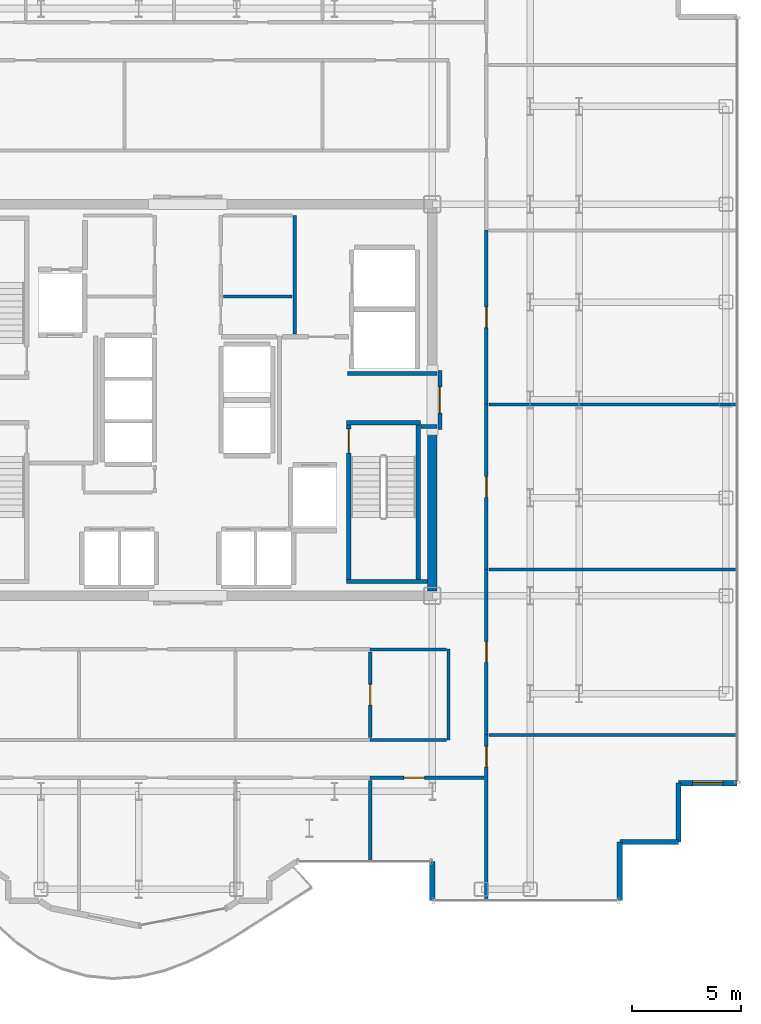
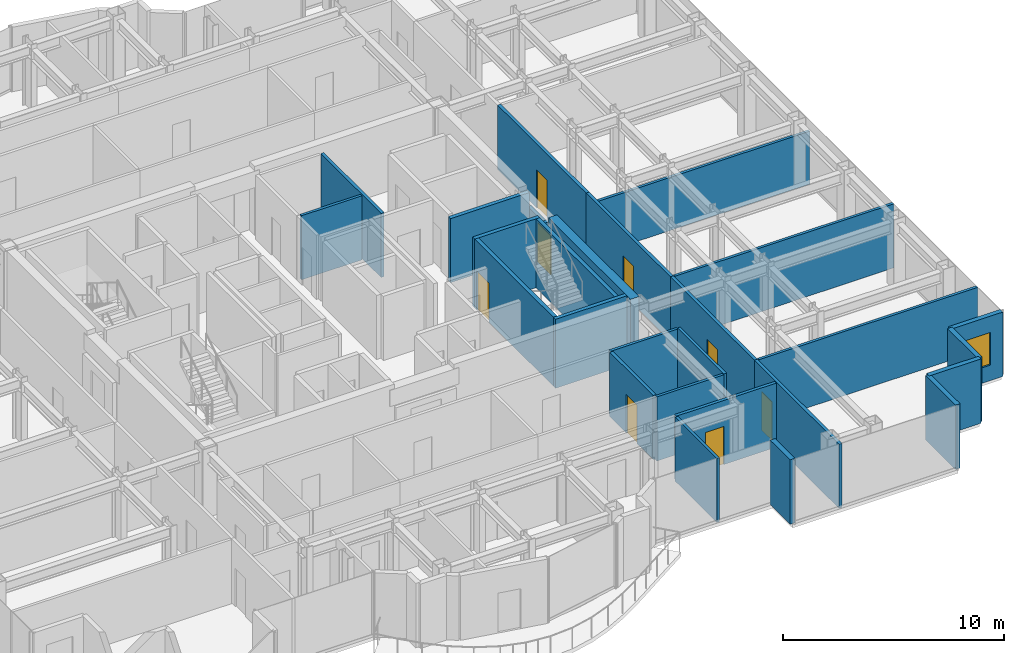
# One storey, part 17 of 21: 28 walls, 8 doors, 1 window, 9 openings.
"""IFC4 building model written with IfcOpenShell, lengths in metres."""

from ifc_helpers import new_model, si_unit, direction, frame, frame_2d, origin, place, context, subcontext, project, spatial, rectangle, extrude, source, transform, mapped, material, layer, layer_set, type_object, element, fill, save


model = new_model("IFC4")

# Units and contexts
model_context = context("Model", 3, precision=1e-05, world=origin(), true_north=direction((0.0, 1.0)))
body_context = subcontext(model_context, "Body", "Model", "MODEL_VIEW")
ifc_project = project(units=[si_unit("LENGTHUNIT", "METRE"), si_unit("AREAUNIT", "SQUARE_METRE"), si_unit("VOLUMEUNIT", "CUBIC_METRE"), si_unit("PLANEANGLEUNIT", "RADIAN"), si_unit("MASSUNIT", "GRAM", prefix="KILO")], contexts=[model_context])

# Site, building, storey
site_placement = place(None, origin())
site = spatial("IfcSite", under=ifc_project, at=site_placement, CompositionType="ELEMENT")
building_placement = place(site_placement, origin())
building = spatial("IfcBuilding", under=site, at=building_placement, Name="Nefas-Gora Pilgrimage Tower", CompositionType="ELEMENT")
storey_placement = place(building_placement, frame((0.0, 0.0, 233.199951171875)))
storey = spatial("IfcBuildingStorey", under=building, at=storey_placement, Name="L58", CompositionType="ELEMENT", Elevation=233.199951171875)

# Walls
ifc_material_1 = material(Name="Concrete C50/60", Category="concrete")
ifc_layer_1 = layer(ifc_material_1, 0.449951171875)
ifc_layer_set_1 = layer_set([ifc_layer_1], Name="Concrete C50/60")
wall_type_1 = type_object("IfcWallType", Name="SW-CORE-450", PredefinedType="SHEAR", material=ifc_layer_set_1)
shared_shape_1 = source(origin(), body_context, "Body", "SweptSolid", [
    extrude(rectangle(XDim=7.4248046875, YDim=0.449951171875, at=frame_2d((3.71240234375, 0.0))), origin(), (0.0, 0.0, 1.0), 3.800048828125),
])
wall_1_placement = place(storey_placement, frame((11.25, -8.77490234375, 0.0), z_axis=(0.0, 0.0, 1.0), x_axis=(0.0, 1.0, 0.0)))
element("IfcWall", 1, at=wall_1_placement, inside=storey, type_object=wall_type_1, Name="L58 Core Shear Wall E-South", PredefinedType="SHEAR", context=body_context, shape_type="MappedRepresentation", body=[
    mapped(shared_shape_1, transform((0.0, 0.0, 0.0), x_axis=(1.0, 0.0, 0.0), y_axis=(0.0, 1.0, 0.0), z_axis=(0.0, 0.0, 1.0), scale=1.0)),
])
ifc_material_2 = material(Name="Precast concrete C40/50", Category="concrete")
ifc_layer_2 = layer(ifc_material_2, 0.260009765625)
ifc_layer_set_2 = layer_set([ifc_layer_2], Name="Precast concrete C40/50")
wall_type_2 = type_object("IfcWallType", Name="EW-PORTAL-260", PredefinedType="SOLIDWALL", material=ifc_layer_set_2)
shared_shape_2 = source(origin(), body_context, "Body", "SweptSolid", [
    extrude(rectangle(XDim=1.800048828125, YDim=0.260009765625, at=frame_2d((0.89990234375, 0.0))), origin(), (0.0, 0.0, 1.0), 3.550048828125),
])
wall_2_placement = place(storey_placement, frame((11.25, -21.219970703125, 0.0), z_axis=(0.0, 0.0, 1.0), x_axis=(0.0, -1.0, 0.0)))
element("IfcWall", 2, at=wall_2_placement, inside=storey, type_object=wall_type_2, Name="L58 Lobe Shoulder Precast Spandrel Pier 1", PredefinedType="SOLIDWALL", context=body_context, shape_type="MappedRepresentation", body=[
    mapped(shared_shape_2, transform((0.0, 0.0, 0.0), x_axis=(1.0, 0.0, 0.0), y_axis=(0.0, 1.0, 0.0), z_axis=(0.0, 0.0, 1.0), scale=1.0)),
])
ifc_material_3 = material(Name="Precast concrete C45/55", Category="concrete")
ifc_layer_3 = layer(ifc_material_3, 0.239990234375)
ifc_layer_set_3 = layer_set([ifc_layer_3], Name="Precast concrete C45/55")
wall_type_3 = type_object("IfcWallType", Name="EW-SERR-240", PredefinedType="SHEAR", material=ifc_layer_set_3)
shared_shape_3 = source(origin(), body_context, "Body", "SweptSolid", [
    extrude(rectangle(XDim=2.699951171875, YDim=0.239990234375, at=frame_2d((1.35009765625, 0.0))), origin(), (0.0, 0.0, 1.0), 3.550048828125),
])
for number, where, z_axis, x_axis, name in (
    (3, (19.8701171875, -23.02001953125, 0.0), (0.0, 0.0, 1.0), (0.0, 1.0, 0.0), "L58 Serrated Corner Shear Pier Wall 2"),
    (4, (19.8701171875, -20.320068359375, 0.0), (0.0, 0.0, 1.0), (1.0, 0.0, 0.0), "L58 Serrated Corner Shear Pier Wall 3"),
    (5, (22.570068359375, -20.320068359375, 0.0), (0.0, 0.0, 1.0), (0.0, 1.0, 0.0), "L58 Serrated Corner Shear Pier Wall 4"),
):
    element("IfcWall", number, at=place(storey_placement, frame(where, z_axis=z_axis, x_axis=x_axis)), inside=storey, type_object=wall_type_3, Name=name, PredefinedType="SHEAR", context=body_context, shape_type="MappedRepresentation", body=[
        mapped(shared_shape_3, transform((0.0, 0.0, 0.0), x_axis=(1.0, 0.0, 0.0), y_axis=(0.0, 1.0, 0.0), z_axis=(0.0, 0.0, 1.0), scale=1.0)),
    ])

# Wall, opening, window
wall_3_placement = place(storey_placement, frame((22.570068359375, -17.6201171875, 0.0), z_axis=(0.0, 0.0, 1.0), x_axis=(1.0, 0.0, 0.0)))
wall_3 = element("IfcWall", 6, at=wall_3_placement, inside=storey, type_object=wall_type_3, Name="L58 Serrated Corner Shear Pier Wall 5", PredefinedType="SHEAR", context=body_context, shape_type="MappedRepresentation", body=[
    mapped(shared_shape_3, transform((0.0, 0.0, 0.0), x_axis=(1.0, 0.0, 0.0), y_axis=(0.0, 1.0, 0.0), z_axis=(0.0, 0.0, 1.0), scale=1.0)),
])
opening_1_placement = place(wall_3_placement, frame((0.64990234375, 0.0, 0.85009765625)))
opening_1 = element("IfcOpeningElement", 7, at=opening_1_placement, cuts=wall_3, Name="Opening W-V2", PredefinedType="OPENING", context=body_context, shape_type="SweptSolid", body=[
    extrude(rectangle(XDim=1.39990234375, YDim=1.800048828125, at=frame_2d((0.699951171875, 0.89990234375))), frame((0.0, 0.1298828125, 0.0), z_axis=(0.0, -1.0, 0.0), x_axis=(1.0, 0.0, 0.0)), (0.0, 0.0, 1.0), 0.260009765625),
])
ifc_material_4 = material(Name="Dark ceramic-fritted operable aluminium-glass window", Category="aluminium")
window_type = type_object("IfcWindowType", Name="WIN-VENT-1400x1800", PartitioningType="SINGLE_PANEL", PredefinedType="WINDOW", material=ifc_material_4)
shared_shape_4 = source(origin(), body_context, "Body", "SweptSolid", [
    extrude(rectangle(XDim=1.39990234375, YDim=1.800048828125, at=frame_2d((0.699951171875, 0.89990234375))), frame((0.0, 0.030029296875, 0.0), z_axis=(0.0, -1.0, 0.0), x_axis=(1.0, 0.0, 0.0)), (0.0, 0.0, 1.0), 0.06005859375),
])
window_placement = place(opening_1_placement, origin())
window = element("IfcWindow", 8, at=window_placement, inside=storey, type_object=window_type, Name="L58 Operable Parallel-Outswing Window 5", OverallHeight=1.800048828125, OverallWidth=1.39990234375, PartitioningType="SINGLE_PANEL", PredefinedType="WINDOW", context=body_context, shape_type="MappedRepresentation", body=[
    mapped(shared_shape_4, transform((0.0, 0.0, 0.0), x_axis=(1.0, 0.0, 0.0), y_axis=(0.0, 1.0, 0.0), z_axis=(0.0, 0.0, 1.0), scale=1.0)),
])
fill(opening_1, window)

# Wall
ifc_material_5 = material(Name="Concrete C45/55", Category="concrete")
ifc_layer_4 = layer(ifc_material_5, 0.199951171875)
ifc_layer_set_4 = layer_set([ifc_layer_4], Name="Concrete C45/55")
wall_type_4 = type_object("IfcWallType", Name="IW-STAIR-200", PredefinedType="SOLIDWALL", material=ifc_layer_set_4)
shared_shape_5 = source(origin(), body_context, "Body", "SweptSolid", [
    extrude(rectangle(XDim=3.39990234375, YDim=0.199951171875, at=frame_2d((1.699951171875, 0.0))), origin(), (0.0, 0.0, 1.0), 3.800048828125),
])
wall_4_placement = place(storey_placement, frame((7.300048828125, -1.050048828125, 0.0), z_axis=(0.0, 0.0, 1.0), x_axis=(1.0, 0.0, 0.0)))
element("IfcWall", 9, at=wall_4_placement, inside=storey, type_object=wall_type_4, Name="L58 Stairwell Shear Wall ST-02-near", PredefinedType="SOLIDWALL", context=body_context, shape_type="MappedRepresentation", body=[
    mapped(shared_shape_5, transform((0.0, 0.0, 0.0), x_axis=(1.0, 0.0, 0.0), y_axis=(0.0, 1.0, 0.0), z_axis=(0.0, 0.0, 1.0), scale=1.0)),
])

# Wall, opening, door
shared_shape_6 = source(origin(), body_context, "Body", "SweptSolid", [
    extrude(rectangle(XDim=7.10009765625, YDim=0.199951171875, at=frame_2d((3.550048828125, 0.0))), origin(), (0.0, 0.0, 1.0), 3.800048828125),
])
wall_5_placement = place(storey_placement, frame((7.39990234375, -1.14990234375, 0.0), z_axis=(0.0, 0.0, 1.0), x_axis=(0.0, -1.0, 0.0)))
wall_5 = element("IfcWall", 10, at=wall_5_placement, inside=storey, type_object=wall_type_4, Name="L58 Stairwell Shear Wall ST-02-left", PredefinedType="SOLIDWALL", context=body_context, shape_type="MappedRepresentation", body=[
    mapped(shared_shape_6, transform((0.0, 0.0, 0.0), x_axis=(1.0, 0.0, 0.0), y_axis=(0.0, 1.0, 0.0), z_axis=(0.0, 0.0, 1.0), scale=1.0)),
])
opening_2_placement = place(wall_5_placement, frame((0.179931640625, 0.0, 0.0)))
opening_2 = element("IfcOpeningElement", 11, at=opening_2_placement, cuts=wall_5, Name="Opening ID-ST1", PredefinedType="OPENING", context=body_context, shape_type="SweptSolid", body=[
    extrude(rectangle(XDim=1.10009765625, YDim=2.14990234375, at=frame_2d((0.550048828125, 1.074951171875))), frame((0.0, 0.10986328125, 0.0), z_axis=(0.0, -1.0, 0.0), x_axis=(1.0, 0.0, 0.0)), (0.0, 0.0, 1.0), 0.219970703125),
])
ifc_material_6 = material(Name="Painted galvanised steel fire stair door", Category="steel")
door_type_1 = type_object("IfcDoorType", Name="DR-INT-STAIR-1100", OperationType="NOTDEFINED", PredefinedType="DOOR", material=ifc_material_6)
shared_shape_7 = source(origin(), body_context, "Body", "SweptSolid", [
    extrude(rectangle(XDim=1.10009765625, YDim=2.14990234375, at=frame_2d((0.550048828125, 1.074951171875))), frame((0.0, 0.02490234375, 0.0), z_axis=(0.0, -1.0, 0.0), x_axis=(1.0, 0.0, 0.0)), (0.0, 0.0, 1.0), 0.050048828125),
])
door_1_placement = place(opening_2_placement, origin())
door_1 = element("IfcDoor", 12, at=door_1_placement, inside=storey, type_object=door_type_1, Name="L58 Protected Exit Stair Door ST-02", OperationType="SINGLE_SWING_LEFT", OverallHeight=2.14990234375, OverallWidth=1.10009765625, PredefinedType="DOOR", context=body_context, shape_type="MappedRepresentation", body=[
    mapped(shared_shape_7, transform((0.0, 0.0, 0.0), x_axis=(1.0, 0.0, 0.0), y_axis=(0.0, 1.0, 0.0), z_axis=(0.0, 0.0, 1.0), scale=1.0)),
])
fill(opening_2, door_1)

# Walls
wall_6_placement = place(storey_placement, frame((10.60009765625, -1.14990234375, 0.0), z_axis=(0.0, 0.0, 1.0), x_axis=(0.0, -1.0, 0.0)))
element("IfcWall", 13, at=wall_6_placement, inside=storey, type_object=wall_type_4, Name="L58 Stairwell Shear Wall ST-02-right", PredefinedType="SOLIDWALL", context=body_context, shape_type="MappedRepresentation", body=[
    mapped(shared_shape_6, transform((0.0, 0.0, 0.0), x_axis=(1.0, 0.0, 0.0), y_axis=(0.0, 1.0, 0.0), z_axis=(0.0, 0.0, 1.0), scale=1.0)),
])
shared_shape_8 = source(origin(), body_context, "Body", "SweptSolid", [
    extrude(rectangle(XDim=3.72998046875, YDim=0.199951171875, at=frame_2d((1.864990234375, 0.0))), origin(), (0.0, 0.0, 1.0), 3.800048828125),
])
wall_7_placement = place(storey_placement, frame((7.300048828125, -8.35009765625, 0.0), z_axis=(0.0, 0.0, 1.0), x_axis=(1.0, 0.0, 0.0)))
element("IfcWall", 14, at=wall_7_placement, inside=storey, type_object=wall_type_4, Name="L58 Stairwell Shear Wall ST-02-far", PredefinedType="SOLIDWALL", context=body_context, shape_type="MappedRepresentation", body=[
    mapped(shared_shape_8, transform((0.0, 0.0, 0.0), x_axis=(1.0, 0.0, 0.0), y_axis=(0.0, 1.0, 0.0), z_axis=(0.0, 0.0, 1.0), scale=1.0)),
])
ifc_material_7 = material(Name="Gypsum fire-rated shaftwall")
ifc_layer_5 = layer(ifc_material_7, 0.199951171875)
ifc_layer_set_5 = layer_set([ifc_layer_5], Name="Gypsum fire-rated shaftwall")
wall_type_5 = type_object("IfcWallType", Name="IW-FFLOB-200", PredefinedType="PARTITIONING", material=ifc_layer_set_5)
shared_shape_9 = source(origin(), body_context, "Body", "SweptSolid", [
    extrude(rectangle(XDim=0.719970703125, YDim=0.199951171875, at=frame_2d((0.35986328125, 0.0))), origin(), (0.0, 0.0, 1.0), 3.53515625),
])
wall_8_placement = place(storey_placement, frame((10.739990234375, -1.219970703125, 0.0), z_axis=(0.0, 0.0, 1.0), x_axis=(1.0, 0.0, 0.0)))
element("IfcWall", 15, at=wall_8_placement, inside=storey, type_object=wall_type_5, Name="L58 FF Lobby East Throat S Wall 14", PredefinedType="PARTITIONING", context=body_context, shape_type="MappedRepresentation", body=[
    mapped(shared_shape_9, transform((0.0, 0.0, 0.0), x_axis=(1.0, 0.0, 0.0), y_axis=(0.0, 1.0, 0.0), z_axis=(0.0, 0.0, 1.0), scale=1.0)),
])
shared_shape_10 = source(origin(), body_context, "Body", "SweptSolid", [
    extrude(rectangle(XDim=4.10986328125, YDim=0.199951171875, at=frame_2d((2.054931640625, 0.0))), origin(), (0.0, 0.0, 1.0), 3.53515625),
])
wall_9_placement = place(storey_placement, frame((7.35009765625, 1.219970703125, 0.0), z_axis=(0.0, 0.0, 1.0), x_axis=(1.0, 0.0, 0.0)))
element("IfcWall", 16, at=wall_9_placement, inside=storey, type_object=wall_type_5, Name="L58 FF Lobby East Throat N Wall 13", PredefinedType="PARTITIONING", context=body_context, shape_type="MappedRepresentation", body=[
    mapped(shared_shape_10, transform((0.0, 0.0, 0.0), x_axis=(1.0, 0.0, 0.0), y_axis=(0.0, 1.0, 0.0), z_axis=(0.0, 0.0, 1.0), scale=1.0)),
])
ifc_material_8 = material(Name="Gypsum twin-stud partition")
ifc_layer_6 = layer(ifc_material_8, 0.139892578125)
ifc_layer_set_6 = layer_set([ifc_layer_6], Name="Gypsum twin-stud partition")
wall_type_6 = type_object("IfcWallType", Name="IW-UNIT-140", PredefinedType="PARTITIONING", material=ifc_layer_set_6)
shared_shape_11 = source(origin(), body_context, "Body", "SweptSolid", [
    extrude(rectangle(XDim=3.150146484375, YDim=0.139892578125, at=frame_2d((1.5751953125, 0.0))), origin(), (0.0, 0.0, 1.0), 3.53515625),
])
wall_10_placement = place(storey_placement, frame((1.639892578125, 4.75, 0.0), z_axis=(0.0, 0.0, 1.0), x_axis=(1.0, 0.0, 0.0)))
element("IfcWall", 17, at=wall_10_placement, inside=storey, type_object=wall_type_6, Name="L58 Clean Blanket and Robe Store Partition Wall 23", PredefinedType="PARTITIONING", context=body_context, shape_type="MappedRepresentation", body=[
    mapped(shared_shape_11, transform((0.0, 0.0, 0.0), x_axis=(1.0, 0.0, 0.0), y_axis=(0.0, 1.0, 0.0), z_axis=(0.0, 0.0, 1.0), scale=1.0)),
])

# Wall, opening, door
ifc_material_9 = material(Name="Gypsum acoustic stud partition")
ifc_layer_7 = layer(ifc_material_9, 0.159912109375)
ifc_layer_set_7 = layer_set([ifc_layer_7], Name="Gypsum acoustic stud partition")
wall_type_7 = type_object("IfcWallType", Name="IW-CORR-160", PredefinedType="PARTITIONING", material=ifc_layer_set_7)
shared_shape_12 = source(origin(), body_context, "Body", "SweptSolid", [
    extrude(rectangle(XDim=5.22509765625, YDim=0.159912109375, at=frame_2d((2.612548828125, 0.0))), origin(), (0.0, 0.0, 1.0), 3.53515625),
])
wall_11_placement = place(storey_placement, frame((8.39501953125, -17.3701171875, 0.0), z_axis=(0.0, 0.0, 1.0), x_axis=(1.0, 0.0, 0.0)))
wall_11 = element("IfcWall", 18, at=wall_11_placement, inside=storey, type_object=wall_type_7, Name="L58 Pilgrim Contemplative Lounge Partition Wall 93", PredefinedType="PARTITIONING", context=body_context, shape_type="MappedRepresentation", body=[
    mapped(shared_shape_12, transform((0.0, 0.0, 0.0), x_axis=(1.0, 0.0, 0.0), y_axis=(0.0, 1.0, 0.0), z_axis=(0.0, 0.0, 1.0), scale=1.0)),
])
opening_3_placement = place(wall_11_placement, frame((1.543212890625, 0.0, 0.0)))
opening_3 = element("IfcOpeningElement", 19, at=opening_3_placement, cuts=wall_11, Name="Opening ID-GR1", PredefinedType="OPENING", context=body_context, shape_type="SweptSolid", body=[
    extrude(rectangle(XDim=0.949951171875, YDim=2.10009765625, at=frame_2d((0.47509765625, 1.050048828125))), frame((0.0, 0.08984375, 0.0), z_axis=(0.0, -1.0, 0.0), x_axis=(1.0, 0.0, 0.0)), (0.0, 0.0, 1.0), 0.179931640625),
])
ifc_material_10 = material(Name="Solid core oak fire-rated guest entrance door")
door_type_2 = type_object("IfcDoorType", Name="DR-INT-GUEST-950", OperationType="NOTDEFINED", PredefinedType="DOOR", material=ifc_material_10)
shared_shape_13 = source(origin(), body_context, "Body", "SweptSolid", [
    extrude(rectangle(XDim=0.949951171875, YDim=2.10009765625, at=frame_2d((0.47509765625, 1.050048828125))), frame((0.0, 0.02490234375, 0.0), z_axis=(0.0, -1.0, 0.0), x_axis=(1.0, 0.0, 0.0)), (0.0, 0.0, 1.0), 0.050048828125),
])
door_2_placement = place(opening_3_placement, origin())
door_2 = element("IfcDoor", 20, at=door_2_placement, inside=storey, type_object=door_type_2, Name="L58 Pilgrim Contemplative Lounge Door 42", OperationType="SINGLE_SWING_RIGHT", OverallHeight=2.10009765625, OverallWidth=0.949951171875, PredefinedType="DOOR", context=body_context, shape_type="MappedRepresentation", body=[
    mapped(shared_shape_13, transform((0.0, 0.0, 0.0), x_axis=(1.0, 0.0, 0.0), y_axis=(0.0, 1.0, 0.0), z_axis=(0.0, 0.0, 1.0), scale=1.0)),
])
fill(opening_3, door_2)

# Walls
shared_shape_14 = source(origin(), body_context, "Body", "SweptSolid", [
    extrude(rectangle(XDim=5.449951171875, YDim=0.159912109375, at=frame_2d((2.72509765625, 0.0))), origin(), (0.0, 0.0, 1.0), 3.53515625),
])
wall_12_placement = place(storey_placement, frame((4.919921875, 3.0400390625, 0.0), z_axis=(0.0, 0.0, 1.0), x_axis=(0.0, 1.0, 0.0)))
element("IfcWall", 21, at=wall_12_placement, inside=storey, type_object=wall_type_7, Name="L58 Service Lift Lobby West Wall Wall 17", PredefinedType="PARTITIONING", context=body_context, shape_type="MappedRepresentation", body=[
    mapped(shared_shape_14, transform((0.0, 0.0, 0.0), x_axis=(1.0, 0.0, 0.0), y_axis=(0.0, 1.0, 0.0), z_axis=(0.0, 0.0, 1.0), scale=1.0)),
])
shared_shape_15 = source(origin(), body_context, "Body", "SweptSolid", [
    extrude(rectangle(XDim=11.429931640625, YDim=0.139892578125, at=frame_2d((5.71484375, 0.0))), origin(), (0.0, 0.0, 1.0), 3.53515625),
])
for number, where, z_axis, x_axis, name in (
    (22, (13.860107421875, -15.3974609375, 0.0), (0.0, 0.0, 1.0), (1.0, 0.0, 0.0), "L58 Pilgrim Fellowship Seminar Room Partition Wall 46"),
    (23, (13.860107421875, -7.804931640625, 0.0), (0.0, 0.0, 1.0), (1.0, 0.0, 0.0), "L58 Pilgrim Fellowship Seminar Room Partition Wall 48"),
):
    element("IfcWall", number, at=place(storey_placement, frame(where, z_axis=z_axis, x_axis=x_axis)), inside=storey, type_object=wall_type_6, Name=name, PredefinedType="PARTITIONING", context=body_context, shape_type="MappedRepresentation", body=[
        mapped(shared_shape_15, transform((0.0, 0.0, 0.0), x_axis=(1.0, 0.0, 0.0), y_axis=(0.0, 1.0, 0.0), z_axis=(0.0, 0.0, 1.0), scale=1.0)),
    ])
shared_shape_16 = source(origin(), body_context, "Body", "SweptSolid", [
    extrude(rectangle(XDim=3.75, YDim=0.139892578125, at=frame_2d((1.875, 0.0))), origin(), (0.0, 0.0, 1.0), 3.53515625),
])
wall_13_placement = place(storey_placement, frame((8.39501953125, -21.239990234375, 0.0), z_axis=(0.0, 0.0, 1.0), x_axis=(0.0, 1.0, 0.0)))
element("IfcWall", 24, at=wall_13_placement, inside=storey, type_object=wall_type_6, Name="L58 Pilgrim Contemplative Lounge Partition Wall 89", PredefinedType="PARTITIONING", context=body_context, shape_type="MappedRepresentation", body=[
    mapped(shared_shape_16, transform((0.0, 0.0, 0.0), x_axis=(1.0, 0.0, 0.0), y_axis=(0.0, 1.0, 0.0), z_axis=(0.0, 0.0, 1.0), scale=1.0)),
])

# Wall, opening, door
shared_shape_17 = source(origin(), body_context, "Body", "SweptSolid", [
    extrude(rectangle(XDim=3.929931640625, YDim=0.159912109375, at=frame_2d((1.96484375, 0.0))), origin(), (0.0, 0.0, 1.0), 3.53515625),
])
wall_14_placement = place(storey_placement, frame((8.39501953125, -15.52001953125, 0.0), z_axis=(0.0, 0.0, 1.0), x_axis=(0.0, 1.0, 0.0)))
wall_14 = element("IfcWall", 25, at=wall_14_placement, inside=storey, type_object=wall_type_7, Name="L58 Pilgrim Contemplative Lounge Partition Wall 92", PredefinedType="PARTITIONING", context=body_context, shape_type="MappedRepresentation", body=[
    mapped(shared_shape_17, transform((0.0, 0.0, 0.0), x_axis=(1.0, 0.0, 0.0), y_axis=(0.0, 1.0, 0.0), z_axis=(0.0, 0.0, 1.0), scale=1.0)),
])
opening_4_placement = place(wall_14_placement, frame((1.489990234375, 0.0, 0.0)))
opening_4 = element("IfcOpeningElement", 26, at=opening_4_placement, cuts=wall_14, Name="Opening ID-GR1", PredefinedType="OPENING", context=body_context, shape_type="SweptSolid", body=[
    extrude(rectangle(XDim=0.949951171875, YDim=2.10009765625, at=frame_2d((0.47509765625, 1.050048828125))), frame((0.0, 0.08984375, 0.0), z_axis=(0.0, -1.0, 0.0), x_axis=(1.0, 0.0, 0.0)), (0.0, 0.0, 1.0), 0.179931640625),
])
door_3_placement = place(opening_4_placement, origin())
door_3 = element("IfcDoor", 27, at=door_3_placement, inside=storey, type_object=door_type_2, Name="L58 Pilgrim Contemplative Lounge Door 41", OperationType="SINGLE_SWING_LEFT", OverallHeight=2.10009765625, OverallWidth=0.949951171875, PredefinedType="DOOR", context=body_context, shape_type="MappedRepresentation", body=[
    mapped(shared_shape_13, transform((0.0, 0.0, 0.0), x_axis=(1.0, 0.0, 0.0), y_axis=(0.0, 1.0, 0.0), z_axis=(0.0, 0.0, 1.0), scale=1.0)),
])
fill(opening_4, door_3)

# Walls
shared_shape_18 = source(origin(), body_context, "Body", "SweptSolid", [
    extrude(rectangle(XDim=4.179931640625, YDim=0.139892578125, at=frame_2d((2.08984375, 0.0))), origin(), (0.0, 0.0, 1.0), 3.53515625),
])
wall_15_placement = place(storey_placement, frame((12.0, -15.639892578125, 0.0), z_axis=(0.0, 0.0, 1.0), x_axis=(0.0, 1.0, 0.0)))
element("IfcWall", 28, at=wall_15_placement, inside=storey, type_object=wall_type_6, Name="L58 Pilgrim Contemplative Lounge Partition Wall 94", PredefinedType="PARTITIONING", context=body_context, shape_type="MappedRepresentation", body=[
    mapped(shared_shape_18, transform((0.0, 0.0, 0.0), x_axis=(1.0, 0.0, 0.0), y_axis=(0.0, 1.0, 0.0), z_axis=(0.0, 0.0, 1.0), scale=1.0)),
])
shared_shape_19 = source(origin(), body_context, "Body", "SweptSolid", [
    extrude(rectangle(XDim=3.494873046875, YDim=0.139892578125, at=frame_2d((1.74755859375, 0.0))), origin(), (0.0, 0.0, 1.0), 3.53515625),
])
for number, where, z_axis, x_axis, name in (
    (29, (8.39501953125, -11.469970703125, 0.0), (0.0, 0.0, 1.0), (1.0, 0.0, 0.0), "L58 Pilgrim Contemplative Lounge Partition Wall 95"),
    (30, (8.39501953125, -15.6298828125, 0.0), (0.0, 0.0, 1.0), (1.0, 0.0, 0.0), "L58 Pilgrim Contemplative Lounge Partition Wall 96"),
):
    element("IfcWall", number, at=place(storey_placement, frame(where, z_axis=z_axis, x_axis=x_axis)), inside=storey, type_object=wall_type_6, Name=name, PredefinedType="PARTITIONING", context=body_context, shape_type="MappedRepresentation", body=[
        mapped(shared_shape_19, transform((0.0, 0.0, 0.0), x_axis=(1.0, 0.0, 0.0), y_axis=(0.0, 1.0, 0.0), z_axis=(0.0, 0.0, 1.0), scale=1.0)),
    ])

# Wall, opening, door
shared_shape_20 = source(origin(), body_context, "Body", "SweptSolid", [
    extrude(rectangle(XDim=8.010009765625, YDim=0.159912109375, at=frame_2d((4.0048828125, 0.0))), origin(), (0.0, 0.0, 1.0), 3.53515625),
])
wall_16_placement = place(storey_placement, frame((13.739990234375, -0.205078125, 0.0), z_axis=(0.0, 0.0, 1.0), x_axis=(0.0, 1.0, 0.0)))
wall_16 = element("IfcWall", 31, at=wall_16_placement, inside=storey, type_object=wall_type_7, Name="L58 Pilgrim Contemplative Lounge Partition Wall 51", PredefinedType="PARTITIONING", context=body_context, shape_type="MappedRepresentation", body=[
    mapped(shared_shape_20, transform((0.0, 0.0, 0.0), x_axis=(1.0, 0.0, 0.0), y_axis=(0.0, 1.0, 0.0), z_axis=(0.0, 0.0, 1.0), scale=1.0)),
])
opening_5_placement = place(wall_16_placement, frame((3.530029296875, 0.0, 0.0)))
opening_5 = element("IfcOpeningElement", 32, at=opening_5_placement, cuts=wall_16, Name="Opening ID-GR1", PredefinedType="OPENING", context=body_context, shape_type="SweptSolid", body=[
    extrude(rectangle(XDim=0.949951171875, YDim=2.10009765625, at=frame_2d((0.47509765625, 1.050048828125))), frame((0.0, 0.08984375, 0.0), z_axis=(0.0, -1.0, 0.0), x_axis=(1.0, 0.0, 0.0)), (0.0, 0.0, 1.0), 0.179931640625),
])
door_4_placement = place(opening_5_placement, origin())
door_4 = element("IfcDoor", 33, at=door_4_placement, inside=storey, type_object=door_type_2, Name="L58 Pilgrim Contemplative Lounge Door 23", OperationType="SINGLE_SWING_LEFT", OverallHeight=2.10009765625, OverallWidth=0.949951171875, PredefinedType="DOOR", context=body_context, shape_type="MappedRepresentation", body=[
    mapped(shared_shape_13, transform((0.0, 0.0, 0.0), x_axis=(1.0, 0.0, 0.0), y_axis=(0.0, 1.0, 0.0), z_axis=(0.0, 0.0, 1.0), scale=1.0)),
])
fill(opening_5, door_4)

shared_shape_21 = source(origin(), body_context, "Body", "SweptSolid", [
    extrude(rectangle(XDim=2.7001953125, YDim=0.199951171875, at=frame_2d((1.35009765625, 0.0))), origin(), (0.0, 0.0, 1.0), 2.625),
])
wall_17_placement = place(storey_placement, frame((11.60009765625, -1.35009765625, 0.0), z_axis=(0.0, 0.0, 1.0), x_axis=(0.0, 1.0, 0.0)))
wall_17 = element("IfcWall", 34, at=wall_17_placement, inside=storey, type_object=wall_type_5, Name="L58 FF Lobby East Portal Wall 9", PredefinedType="PARTITIONING", context=body_context, shape_type="MappedRepresentation", body=[
    mapped(shared_shape_21, transform((0.0, 0.0, 0.0), x_axis=(1.0, 0.0, 0.0), y_axis=(0.0, 1.0, 0.0), z_axis=(0.0, 0.0, 1.0), scale=1.0)),
])
opening_6_placement = place(wall_17_placement, frame((0.75, 0.0, 0.0)))
opening_6 = element("IfcOpeningElement", 35, at=opening_6_placement, cuts=wall_17, Name="Opening ID-FF1", PredefinedType="OPENING", context=body_context, shape_type="SweptSolid", body=[
    extrude(rectangle(XDim=1.199951171875, YDim=2.14990234375, at=frame_2d((0.60009765625, 1.074951171875))), frame((0.0, 0.10986328125, 0.0), z_axis=(0.0, -1.0, 0.0), x_axis=(1.0, 0.0, 0.0)), (0.0, 0.0, 1.0), 0.219970703125),
])
ifc_material_11 = material(Name="Smoke-sealed steel firefighting lobby door", Category="steel")
door_type_3 = type_object("IfcDoorType", Name="DR-INT-FFLOB-1200", OperationType="NOTDEFINED", PredefinedType="DOOR", material=ifc_material_11)
shared_shape_22 = source(origin(), body_context, "Body", "SweptSolid", [
    extrude(rectangle(XDim=1.199951171875, YDim=2.14990234375, at=frame_2d((0.60009765625, 1.074951171875))), frame((0.0, 0.02490234375, 0.0), z_axis=(0.0, -1.0, 0.0), x_axis=(1.0, 0.0, 0.0)), (0.0, 0.0, 1.0), 0.050048828125),
])
door_5_placement = place(opening_6_placement, origin())
door_5 = element("IfcDoor", 36, at=door_5_placement, inside=storey, type_object=door_type_3, Name="L58 FF Lobby East Portal Door 3", OperationType="SINGLE_SWING_LEFT", OverallHeight=2.14990234375, OverallWidth=1.199951171875, PredefinedType="DOOR", context=body_context, shape_type="MappedRepresentation", body=[
    mapped(shared_shape_22, transform((0.0, 0.0, 0.0), x_axis=(1.0, 0.0, 0.0), y_axis=(0.0, 1.0, 0.0), z_axis=(0.0, 0.0, 1.0), scale=1.0)),
])
fill(opening_6, door_5)

# Wall
shared_shape_23 = source(origin(), body_context, "Body", "SweptSolid", [
    extrude(rectangle(XDim=11.429931640625, YDim=0.139892578125, at=frame_2d((5.71484375, 0.0))), origin(), (0.0, 0.0, 1.0), 2.925048828125),
])
wall_18_placement = place(storey_placement, frame((13.860107421875, -0.205078125, 0.0), z_axis=(0.0, 0.0, 1.0), x_axis=(1.0, 0.0, 0.0)))
element("IfcWall", 37, at=wall_18_placement, inside=storey, type_object=wall_type_6, Name="L58 Pilgrim Fellowship Seminar Room Partition Wall 50", PredefinedType="PARTITIONING", context=body_context, shape_type="MappedRepresentation", body=[
    mapped(shared_shape_23, transform((0.0, 0.0, 0.0), x_axis=(1.0, 0.0, 0.0), y_axis=(0.0, 1.0, 0.0), z_axis=(0.0, 0.0, 1.0), scale=1.0)),
])

# Wall, opening, door
shared_shape_24 = source(origin(), body_context, "Body", "SweptSolid", [
    extrude(rectangle(XDim=7.652587890625, YDim=0.159912109375, at=frame_2d((3.826171875, 0.0))), origin(), (0.0, 0.0, 1.0), 3.53515625),
])
wall_19_placement = place(storey_placement, frame((13.739990234375, -23.0400390625, 0.0), z_axis=(0.0, 0.0, 1.0), x_axis=(0.0, 1.0, 0.0)))
wall_19 = element("IfcWall", 38, at=wall_19_placement, inside=storey, type_object=wall_type_7, Name="L58 Pilgrim Fellowship Seminar Room Partition Wall 45", PredefinedType="PARTITIONING", context=body_context, shape_type="MappedRepresentation", body=[
    mapped(shared_shape_24, transform((0.0, 0.0, 0.0), x_axis=(1.0, 0.0, 0.0), y_axis=(0.0, 1.0, 0.0), z_axis=(0.0, 0.0, 1.0), scale=1.0)),
])
opening_7_placement = place(wall_19_placement, frame((6.166259765625, 0.0, 0.0)))
opening_7 = element("IfcOpeningElement", 39, at=opening_7_placement, cuts=wall_19, Name="Opening ID-GR1", PredefinedType="OPENING", context=body_context, shape_type="SweptSolid", body=[
    extrude(rectangle(XDim=0.949951171875, YDim=2.10009765625, at=frame_2d((0.47509765625, 1.050048828125))), frame((0.0, 0.08984375, 0.0), z_axis=(0.0, -1.0, 0.0), x_axis=(1.0, 0.0, 0.0)), (0.0, 0.0, 1.0), 0.179931640625),
])
door_6_placement = place(opening_7_placement, origin())
door_6 = element("IfcDoor", 40, at=door_6_placement, inside=storey, type_object=door_type_2, Name="L58 Pilgrim Fellowship Seminar Room Door 20", OperationType="SINGLE_SWING_RIGHT", OverallHeight=2.10009765625, OverallWidth=0.949951171875, PredefinedType="DOOR", context=body_context, shape_type="MappedRepresentation", body=[
    mapped(shared_shape_13, transform((0.0, 0.0, 0.0), x_axis=(1.0, 0.0, 0.0), y_axis=(0.0, 1.0, 0.0), z_axis=(0.0, 0.0, 1.0), scale=1.0)),
])
fill(opening_7, door_6)

shared_shape_25 = source(origin(), body_context, "Body", "SweptSolid", [
    extrude(rectangle(XDim=7.592529296875, YDim=0.159912109375, at=frame_2d((3.79638671875, 0.0))), origin(), (0.0, 0.0, 1.0), 3.53515625),
])
wall_20_placement = place(storey_placement, frame((13.739990234375, -15.387451171875, 0.0), z_axis=(0.0, 0.0, 1.0), x_axis=(0.0, 1.0, 0.0)))
wall_20 = element("IfcWall", 41, at=wall_20_placement, inside=storey, type_object=wall_type_7, Name="L58 Pilgrim Fellowship Seminar Room Partition Wall 47", PredefinedType="PARTITIONING", context=body_context, shape_type="MappedRepresentation", body=[
    mapped(shared_shape_25, transform((0.0, 0.0, 0.0), x_axis=(1.0, 0.0, 0.0), y_axis=(0.0, 1.0, 0.0), z_axis=(0.0, 0.0, 1.0), scale=1.0)),
])
opening_8_placement = place(wall_20_placement, frame((3.3212890625, 0.0, 0.0)))
opening_8 = element("IfcOpeningElement", 42, at=opening_8_placement, cuts=wall_20, Name="Opening ID-GR1", PredefinedType="OPENING", context=body_context, shape_type="SweptSolid", body=[
    extrude(rectangle(XDim=0.949951171875, YDim=2.10009765625, at=frame_2d((0.47509765625, 1.050048828125))), frame((0.0, 0.08984375, 0.0), z_axis=(0.0, -1.0, 0.0), x_axis=(1.0, 0.0, 0.0)), (0.0, 0.0, 1.0), 0.179931640625),
])
door_7_placement = place(opening_8_placement, origin())
door_7 = element("IfcDoor", 43, at=door_7_placement, inside=storey, type_object=door_type_2, Name="L58 Pilgrim Fellowship Seminar Room Door 21", OperationType="SINGLE_SWING_LEFT", OverallHeight=2.10009765625, OverallWidth=0.949951171875, PredefinedType="DOOR", context=body_context, shape_type="MappedRepresentation", body=[
    mapped(shared_shape_13, transform((0.0, 0.0, 0.0), x_axis=(1.0, 0.0, 0.0), y_axis=(0.0, 1.0, 0.0), z_axis=(0.0, 0.0, 1.0), scale=1.0)),
])
fill(opening_8, door_7)

shared_shape_26 = source(origin(), body_context, "Body", "SweptSolid", [
    extrude(rectangle(XDim=7.60986328125, YDim=0.159912109375, at=frame_2d((3.804931640625, 0.0))), origin(), (0.0, 0.0, 1.0), 3.53515625),
])
wall_21_placement = place(storey_placement, frame((13.739990234375, -7.804931640625, 0.0), z_axis=(0.0, 0.0, 1.0), x_axis=(0.0, 1.0, 0.0)))
wall_21 = element("IfcWall", 44, at=wall_21_placement, inside=storey, type_object=wall_type_7, Name="L58 Pilgrim Fellowship Seminar Room Partition Wall 49", PredefinedType="PARTITIONING", context=body_context, shape_type="MappedRepresentation", body=[
    mapped(shared_shape_26, transform((0.0, 0.0, 0.0), x_axis=(1.0, 0.0, 0.0), y_axis=(0.0, 1.0, 0.0), z_axis=(0.0, 0.0, 1.0), scale=1.0)),
])
opening_9_placement = place(wall_21_placement, frame((3.330078125, 0.0, 0.0)))
opening_9 = element("IfcOpeningElement", 45, at=opening_9_placement, cuts=wall_21, Name="Opening ID-GR1", PredefinedType="OPENING", context=body_context, shape_type="SweptSolid", body=[
    extrude(rectangle(XDim=0.949951171875, YDim=2.10009765625, at=frame_2d((0.47509765625, 1.050048828125))), frame((0.0, 0.08984375, 0.0), z_axis=(0.0, -1.0, 0.0), x_axis=(1.0, 0.0, 0.0)), (0.0, 0.0, 1.0), 0.179931640625),
])
door_8_placement = place(opening_9_placement, origin())
door_8 = element("IfcDoor", 46, at=door_8_placement, inside=storey, type_object=door_type_2, Name="L58 Pilgrim Fellowship Seminar Room Door 22", OperationType="SINGLE_SWING_RIGHT", OverallHeight=2.10009765625, OverallWidth=0.949951171875, PredefinedType="DOOR", context=body_context, shape_type="MappedRepresentation", body=[
    mapped(shared_shape_13, transform((0.0, 0.0, 0.0), x_axis=(1.0, 0.0, 0.0), y_axis=(0.0, 1.0, 0.0), z_axis=(0.0, 0.0, 1.0), scale=1.0)),
])
fill(opening_9, door_8)

save(model, "model.ifc")
